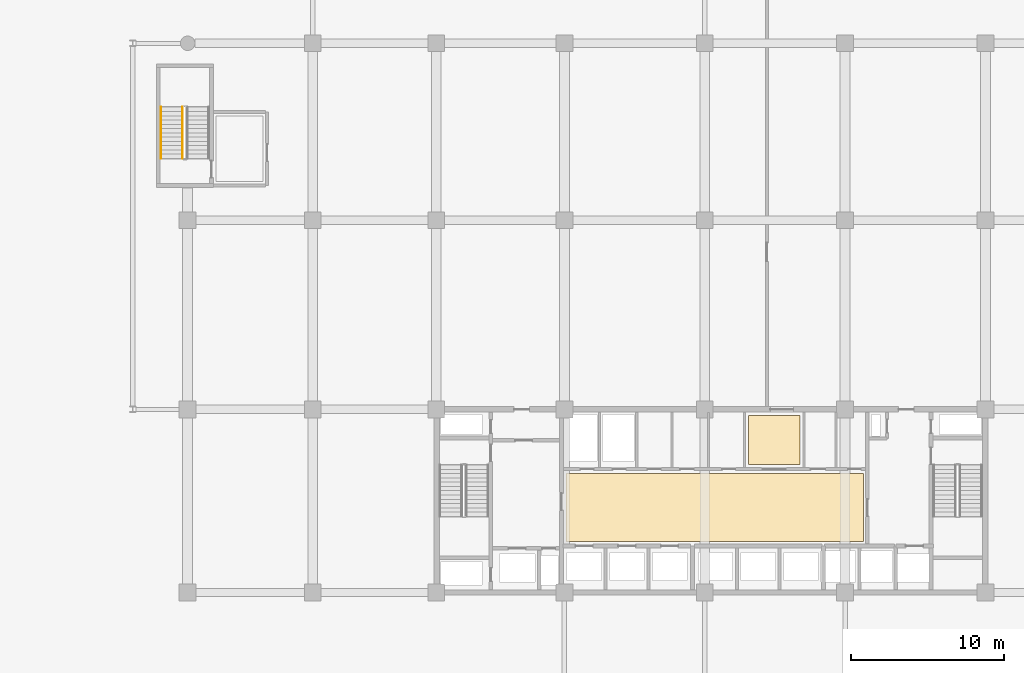
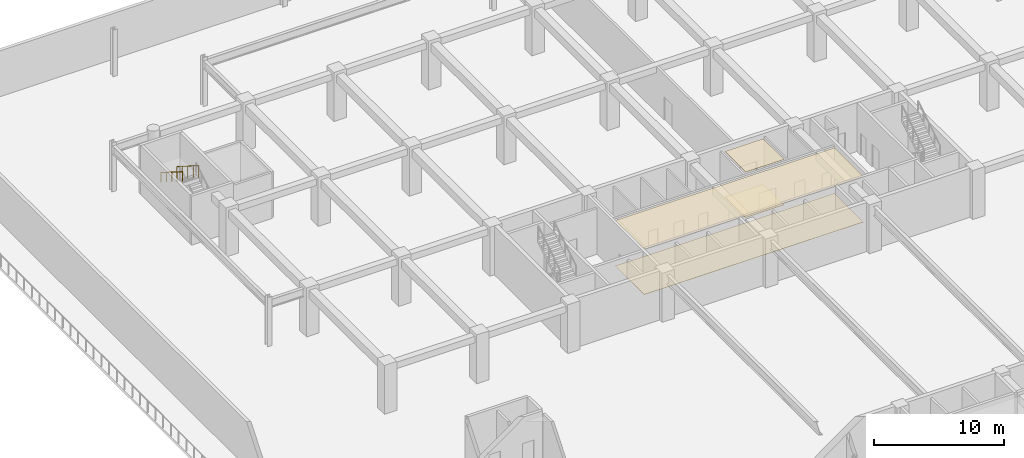
# One storey, part 40 of 45: 4 coverings, 2 railings.
"""IFC4 building model written with IfcOpenShell, lengths in metres."""

from ifc_helpers import new_model, si_unit, direction, frame, origin, origin_2d, place, context, subcontext, project, spatial, polyline, circle, outline, extrude, material, layer, layer_set, type_object, element, save


model = new_model("IFC4")

# Units and contexts
model_context = context("Model", 3, precision=1e-05, world=origin(), true_north=direction((0.0, 1.0)))
body_context = subcontext(model_context, "Body", "Model", "MODEL_VIEW")
ifc_project = project(units=[si_unit("LENGTHUNIT", "METRE"), si_unit("AREAUNIT", "SQUARE_METRE"), si_unit("VOLUMEUNIT", "CUBIC_METRE"), si_unit("PLANEANGLEUNIT", "RADIAN"), si_unit("MASSUNIT", "GRAM", prefix="KILO")], contexts=[model_context])

# Site, building, storey
site_placement = place(None, origin())
site = spatial("IfcSite", under=ifc_project, at=site_placement, CompositionType="ELEMENT")
building_placement = place(site_placement, origin())
building = spatial("IfcBuilding", under=site, at=building_placement, Name="Korimba Cascade Residences", CompositionType="ELEMENT")
storey_placement = place(building_placement, frame((0.0, 0.0, 5.39990234375)))
storey = spatial("IfcBuildingStorey", under=building, at=storey_placement, Name="L01", CompositionType="ELEMENT", Elevation=5.39990234375)

# Coverings
ifc_material_1 = material(Name="Perforated Acoustic Gypsum Ceiling", Category="gypsum")
ifc_layer_1 = layer(ifc_material_1, 0.02490234375)
ifc_layer_set_1 = layer_set([ifc_layer_1], Name="Perforated Acoustic Gypsum Ceiling")
covering_type_1 = type_object("IfcCoveringType", Name="COV-CLG-AC", PredefinedType="CEILING", material=ifc_layer_set_1)
covering_1_placement = place(storey_placement, frame((0.0, 0.0, 4.275146484375)))
element("IfcCovering", 1, at=covering_1_placement, inside=storey, type_object=covering_type_1, Name="L01 Suspended Acoustic Ceiling L01-LL1", PredefinedType="CEILING", context=body_context, shape_type="SweptSolid", body=[
    extrude(outline(polyline([(84.60009765625, 58.550048828125), (104.10009765625, 58.550048828125), (104.10009765625, 63.0), (84.60009765625, 63.0), (84.60009765625, 58.550048828125)])), origin(), (0.0, 0.0, 1.0), 0.02490234375),
])
covering_2_placement = place(storey_placement, frame((0.0, 0.0, 4.275146484375)))
element("IfcCovering", 2, at=covering_2_placement, inside=storey, type_object=covering_type_1, Name="L01 Suspended Acoustic Ceiling L01-LT1", PredefinedType="CEILING", context=body_context, shape_type="SweptSolid", body=[
    extrude(outline(polyline([(96.550048828125, 63.60009765625), (99.949951171875, 63.60009765625), (99.949951171875, 66.800048828125), (96.550048828125, 66.800048828125), (96.550048828125, 63.60009765625)])), origin(), (0.0, 0.0, 1.0), 0.02490234375),
])
ifc_material_2 = material(Name="Honed Travertine Stone Flooring", Category="masonry")
ifc_layer_2 = layer(ifc_material_2, 0.02490234375)
ifc_layer_set_2 = layer_set([ifc_layer_2], Name="Honed Travertine Stone Flooring")
covering_type_2 = type_object("IfcCoveringType", Name="COV-FLR-STN", PredefinedType="FLOORING", material=ifc_layer_set_2)
covering_3_placement = place(storey_placement, origin())
element("IfcCovering", 3, at=covering_3_placement, inside=storey, type_object=covering_type_2, Name="L01 Honed Travertine Stone Flooring L01-LL1", PredefinedType="FLOORING", context=body_context, shape_type="SweptSolid", body=[
    extrude(outline(polyline([(84.60009765625, 58.550048828125), (104.10009765625, 58.550048828125), (104.10009765625, 63.0), (84.60009765625, 63.0), (84.60009765625, 58.550048828125)])), origin(), (0.0, 0.0, 1.0), 0.025146484375),
])
covering_4_placement = place(storey_placement, origin())
element("IfcCovering", 4, at=covering_4_placement, inside=storey, type_object=covering_type_2, Name="L01 Honed Travertine Stone Flooring L01-LT1", PredefinedType="FLOORING", context=body_context, shape_type="SweptSolid", body=[
    extrude(outline(polyline([(96.550048828125, 63.60009765625), (99.949951171875, 63.60009765625), (99.949951171875, 66.800048828125), (96.550048828125, 66.800048828125), (96.550048828125, 63.60009765625)])), origin(), (0.0, 0.0, 1.0), 0.025146484375),
])

# Railings
ifc_material_3 = material(Name="Painted Steel Stairwell Guardrail", Category="steel")
railing_type_1 = type_object("IfcRailingType", Name="RLG-ST-GD1150", PredefinedType="GUARDRAIL", material=ifc_material_3)
railing_1_placement = place(storey_placement, frame((59.469970703125, 87.010009765625, 2.47705078125)))
element("IfcRailing", 5, at=railing_1_placement, inside=storey, type_object=railing_type_1, Name="L01 ST-P5 stair guard 3", PredefinedType="GUARDRAIL", context=body_context, shape_type="SweptSolid", body=[
    extrude(circle(Radius=0.02392578125, at=origin_2d()), frame((0.0, 0.0, 1.1259765625), z_axis=(0.0, -0.845389635667, 0.534150132366), x_axis=(1.0, 0.0, 0.0)), (0.0, 0.0, 1.0), 3.974609375),
    extrude(circle(Radius=0.02099609375, at=origin_2d()), origin(), (0.0, 0.0, 1.0), 1.101806640625),
    extrude(circle(Radius=0.02099609375, at=origin_2d()), frame((0.0, -0.840087890625, 0.53076171875)), (0.0, 0.0, 1.0), 1.101806640625),
    extrude(circle(Radius=0.02099609375, at=origin_2d()), frame((0.0, -1.68017578125, 1.0615234375)), (0.0, 0.0, 1.0), 1.101806640625),
    extrude(circle(Radius=0.02099609375, at=origin_2d()), frame((0.0, -2.52001953125, 1.59228515625)), (0.0, 0.0, 1.0), 1.101806640625),
    extrude(circle(Radius=0.02099609375, at=origin_2d()), frame((0.0, -3.360107421875, 2.123046875)), (0.0, 0.0, 1.0), 1.101806640625),
])
ifc_material_4 = material(Name="Brushed Stainless Steel Handrail", Category="steel")
railing_type_2 = type_object("IfcRailingType", Name="RLG-ST-HR900", PredefinedType="HANDRAIL", material=ifc_material_4)
railing_2_placement = place(storey_placement, frame((58.050048828125, 87.010009765625, 2.65771484375)))
element("IfcRailing", 6, at=railing_2_placement, inside=storey, type_object=railing_type_2, Name="L01 ST-P5 stair handrail 2", PredefinedType="HANDRAIL", context=body_context, shape_type="SweptSolid", body=[
    extrude(circle(Radius=0.02392578125, at=origin_2d()), frame((0.0, 0.0, 0.8759765625), z_axis=(0.0, -0.845389635667, 0.534150132366), x_axis=(1.0, 0.0, 0.0)), (0.0, 0.0, 1.0), 3.974609375),
    extrude(circle(Radius=0.02099609375, at=origin_2d()), origin(), (0.0, 0.0, 1.0), 0.851806640625),
    extrude(circle(Radius=0.02099609375, at=origin_2d()), frame((0.0, -0.840087890625, 0.53076171875)), (0.0, 0.0, 1.0), 0.851806640625),
    extrude(circle(Radius=0.02099609375, at=origin_2d()), frame((0.0, -1.68017578125, 1.0615234375)), (0.0, 0.0, 1.0), 0.851806640625),
    extrude(circle(Radius=0.02099609375, at=origin_2d()), frame((0.0, -2.52001953125, 1.59228515625)), (0.0, 0.0, 1.0), 0.851806640625),
    extrude(circle(Radius=0.02099609375, at=origin_2d()), frame((0.0, -3.360107421875, 2.123046875)), (0.0, 0.0, 1.0), 0.851806640625),
])

save(model, "model.ifc")
